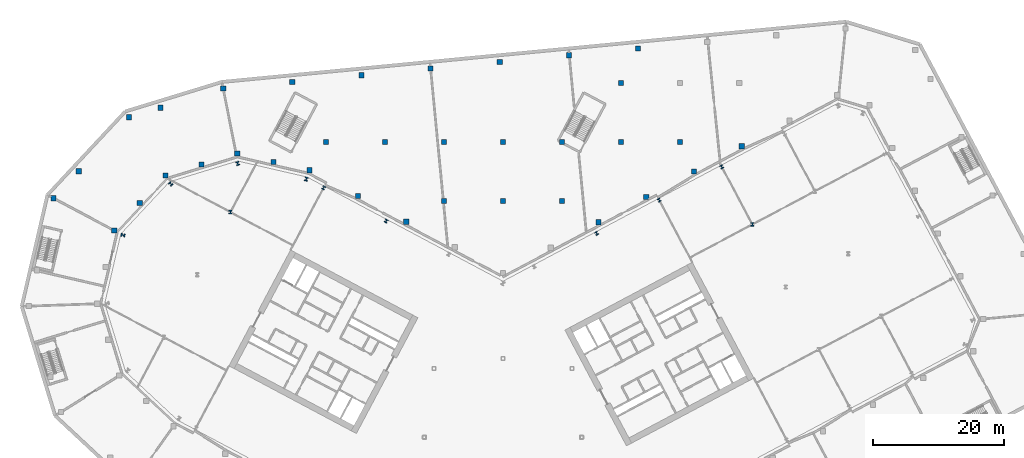
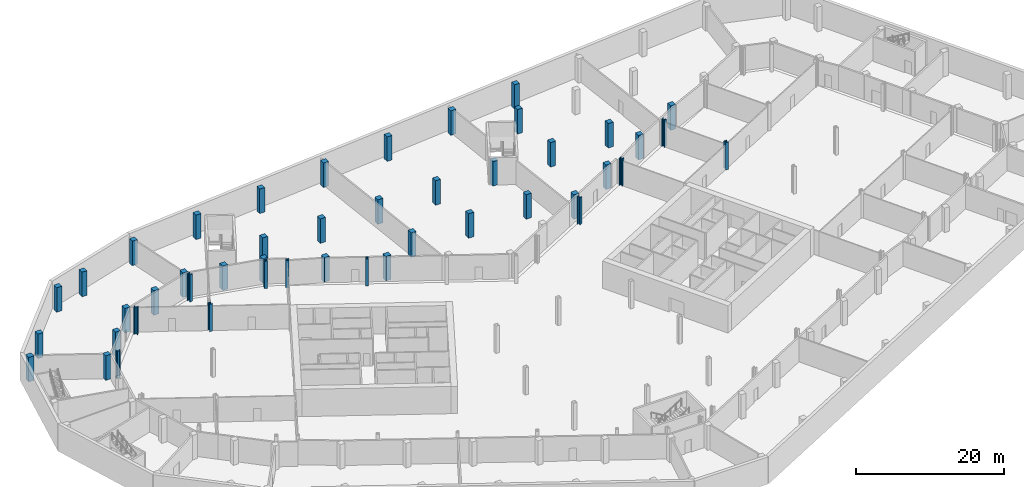
# One storey, part 5 of 27: 46 columns.
"""IFC4 building model written with IfcOpenShell, lengths in metres."""

from ifc_helpers import new_model, si_unit, direction, frame, origin, origin_2d, place, context, subcontext, project, spatial, rectangle, i_section, extrude, material, material_profile, profile_set, type_object, element, save


model = new_model("IFC4")

# Units and contexts
model_context = context("Model", 3, precision=1e-05, world=origin(), true_north=direction((0.0, 1.0)))
body_context = subcontext(model_context, "Body", "Model", "MODEL_VIEW")
ifc_project = project(units=[si_unit("LENGTHUNIT", "METRE"), si_unit("AREAUNIT", "SQUARE_METRE"), si_unit("VOLUMEUNIT", "CUBIC_METRE"), si_unit("PLANEANGLEUNIT", "RADIAN"), si_unit("MASSUNIT", "GRAM", prefix="KILO")], contexts=[model_context])

# Site, building, storey
site_placement = place(None, origin())
site = spatial("IfcSite", under=ifc_project, at=site_placement, CompositionType="ELEMENT")
building_placement = place(site_placement, origin())
building = spatial("IfcBuilding", under=site, at=building_placement, Name="Cormorant Relay Tower", CompositionType="ELEMENT")
storey_placement = place(building_placement, frame((0.0, 0.0, -4.5)))
storey = spatial("IfcBuildingStorey", under=building, at=storey_placement, Name="B1", CompositionType="ELEMENT", Elevation=-4.5)

# Columns
ifc_material_1 = material(Name="Concrete 50 MPa", Category="concrete")
ifc_material_profile_1 = material_profile(ifc_material_1, rectangle(XDim=0.800048828125, YDim=0.800048828125, at=origin_2d()), Name="RC 800x800")
ifc_profile_set_1 = profile_set([ifc_material_profile_1], Name="Concrete 50 MPa")
column_type_1 = type_object("IfcColumnType", Name="Base column 800 x 800", PredefinedType="COLUMN", material=ifc_profile_set_1)
for number, where, z_axis, x_axis, name in (
    (1, (-59.280029296875, 31.52001953125, 0.0), (0.0, 0.0, 1.0), (1.0, 0.0, 0.0), "Base column"),
    (2, (14.556884765625, 32.77001953125, 0.0), (0.0, 0.0, 1.0), (1.0, 0.0, 0.0), "Base column"),
    (3, (-14.742919921875, 32.868896484375, 0.0), (0.0, 0.0, 1.0), (1.0, 0.0, 0.0), "Base column"),
    (4, (-55.3720703125, 35.7099609375, 0.0), (0.0, 0.0, 1.0), (1.0, 0.0, 0.0), "Base column"),
    (5, (-9.0, 36.0, 0.0), (0.0, 0.0, 1.0), (1.0, 0.0, 0.0), "Base column"),
    (6, (0.0, 36.0, 0.0), (0.0, 0.0, 1.0), (1.0, 0.0, 0.0), "Base column"),
    (7, (9.0, 36.0, 0.0), (0.0, 0.0, 1.0), (1.0, 0.0, 0.0), "Base column"),
    (8, (-68.511962890625, 36.428955078125, 0.0), (0.0, 0.0, 1.0), (1.0, 0.0, 0.0), "Base column"),
    (9, (21.8359375, 36.639892578125, 0.0), (0.0, 0.0, 1.0), (1.0, 0.0, 0.0), "Base column"),
    (10, (-22.114013671875, 36.7880859375, 0.0), (0.0, 0.0, 1.0), (1.0, 0.0, 0.0), "Base column"),
    (11, (-51.464111328125, 39.90087890625, 0.0), (0.0, 0.0, 1.0), (1.0, 0.0, 0.0), "Base column"),
    (12, (29.114013671875, 40.510009765625, 0.0), (0.0, 0.0, 1.0), (1.0, 0.0, 0.0), "Base column"),
    (13, (-64.677001953125, 40.5419921875, 0.0), (0.0, 0.0, 1.0), (1.0, 0.0, 0.0), "Base column"),
    (14, (-29.485107421875, 40.70703125, 0.0), (0.0, 0.0, 1.0), (1.0, 0.0, 0.0), "Base column"),
    (15, (-45.985107421875, 41.575927734375, 0.0), (0.0, 0.0, 1.0), (1.0, 0.0, 0.0), "Base column"),
    (16, (-34.9951171875, 41.97900390625, 0.0), (0.0, 0.0, 1.0), (1.0, 0.0, 0.0), "Base column"),
    (17, (-40.5048828125, 43.251953125, 0.0), (0.0, 0.0, 1.0), (1.0, 0.0, 0.0), "Base column"),
    (18, (36.39306640625, 44.3798828125, 0.0), (0.0, 0.0, 1.0), (1.0, 0.0, 0.0), "Base column"),
    (19, (-27.0, 45.0, 0.0), (0.0, 0.0, 1.0), (1.0, 0.0, 0.0), "Base column"),
    (20, (-18.0, 45.0, 0.0), (0.0, 0.0, 1.0), (1.0, 0.0, 0.0), "Base column"),
    (21, (-9.0, 45.0, 0.0), (0.0, 0.0, 1.0), (1.0, 0.0, 0.0), "Base column"),
    (22, (0.0, 45.0, 0.0), (0.0, 0.0, 1.0), (1.0, 0.0, 0.0), "Base column"),
    (23, (9.0, 45.0, 0.0), (0.0, 0.0, 1.0), (1.0, 0.0, 0.0), "Base column"),
    (24, (18.0, 45.0, 0.0), (0.0, 0.0, 1.0), (1.0, 0.0, 0.0), "Base column"),
    (25, (27.0, 45.0, 0.0), (0.0, 0.0, 1.0), (1.0, 0.0, 0.0), "Base column"),
    (26, (-57.0048828125, 48.76806640625, 0.0), (0.0, 0.0, 1.0), (1.0, 0.0, 0.0), "Base column"),
    (27, (-52.22412109375, 50.22998046875, 0.0), (0.0, 0.0, 1.0), (1.0, 0.0, 0.0), "Base column"),
    (28, (-42.662109375, 53.154052734375, 0.0), (0.0, 0.0, 1.0), (1.0, 0.0, 0.0), "Base column"),
    (29, (18.0, 54.0, 0.0), (0.0, 0.0, 1.0), (1.0, 0.0, 0.0), "Base column"),
    (30, (-32.12109375, 54.169921875, 0.0), (0.0, 0.0, 1.0), (1.0, 0.0, 0.0), "Base column"),
    (31, (-21.580078125, 55.18603515625, 0.0), (0.0, 0.0, 1.0), (1.0, 0.0, 0.0), "Base column"),
    (32, (-11.0390625, 56.201904296875, 0.0), (0.0, 0.0, 1.0), (1.0, 0.0, 0.0), "Base column"),
    (33, (-0.498046875, 57.218017578125, 0.0), (0.0, 0.0, 1.0), (1.0, 0.0, 0.0), "Base column"),
    (34, (10.0439453125, 58.23388671875, 0.0), (0.0, 0.0, 1.0), (1.0, 0.0, 0.0), "Base column"),
    (35, (20.5849609375, 59.25, 0.0), (0.0, 0.0, 1.0), (1.0, 0.0, 0.0), "Base column"),
):
    element("IfcColumn", number, at=place(storey_placement, frame(where, z_axis=z_axis, x_axis=x_axis)), inside=storey, type_object=column_type_1, Name=name, PredefinedType="COLUMN", context=body_context, shape_type="SweptSolid", body=[
        extrude(rectangle(XDim=0.800048828125, YDim=0.800048828125, at=origin_2d()), origin(), (0.0, 0.0, 1.0), 4.050048828125),
    ])
ifc_material_2 = material(Name="Steel ASTM A992 (Fy 345 MPa)", Category="steel")
ifc_material_profile_2 = material_profile(ifc_material_2, i_section(OverallWidth=0.45458984375, OverallDepth=0.569091796875, WebThickness=0.077880859375, FlangeThickness=0.124755859375, FilletRadius=0.015380859375, at=origin_2d()), Name="W360x1086")
ifc_profile_set_2 = profile_set([ifc_material_profile_2], Name="Steel ASTM A992 (Fy 345 MPa)")
column_type_2 = type_object("IfcColumnType", Name="Column W360x1086", PredefinedType="COLUMN", material=ifc_profile_set_2)
for number, where, z_axis, x_axis, name in (
    (36, (-57.93896484375, 30.806884765625, 0.0), (0.0, 0.0, 1.0), (-0.224951054344, -0.974370064785, 0.0), "Column B1-038"),
    (37, (38.01806640625, 32.446044921875, 0.0), (0.0, 0.0, 1.0), (1.0, 0.0, 0.0), "Column B1-040"),
    (38, (-41.549072265625, 34.323974609375, 0.0), (0.0, 0.0, 1.0), (1.0, 0.0, 0.0), "Column B1-043"),
    (39, (-50.659912109375, 38.613037109375, 0.0), (0.0, 0.0, 1.0), (-0.681998360062, -0.731353701619, 0.0), "Column B1-047"),
    (40, (-29.992919921875, 39.35009765625, 0.0), (0.0, 0.0, 1.0), (-0.974370064785, 0.224951054344, 0.0), "Column B1-048"),
    (41, (-40.451904296875, 41.73388671875, 0.0), (0.0, 0.0, 1.0), (-0.956304755963, -0.292371704723, 0.0), "Column B1-050"),
):
    element("IfcColumn", number, at=place(storey_placement, frame(where, z_axis=z_axis, x_axis=x_axis)), inside=storey, type_object=column_type_2, Name=name, PredefinedType="COLUMN", context=body_context, shape_type="SweptSolid", body=[
        extrude(i_section(OverallWidth=0.45458984375, OverallDepth=0.569091796875, WebThickness=0.077880859375, FlangeThickness=0.124755859375, FilletRadius=0.015380859375, at=origin_2d()), origin(), (0.0, 0.0, 1.0), 4.5),
    ])
ifc_material_3 = material(Name="Steel ASTM A992 (Fy 345 MPa)", Category="steel")
ifc_material_profile_3 = material_profile(ifc_material_3, i_section(OverallWidth=0.43701171875, OverallDepth=0.51318359375, WebThickness=0.060546875, FlangeThickness=0.096923828125, FilletRadius=0.015380859375, at=origin_2d()), Name="W360x818")
ifc_profile_set_3 = profile_set([ifc_material_profile_3], Name="Steel ASTM A992 (Fy 345 MPa)")
column_type_3 = type_object("IfcColumnType", Name="Column W360x818", PredefinedType="COLUMN", material=ifc_profile_set_3)
for number, where, z_axis, x_axis, name in (
    (42, (14.279052734375, 31.08203125, 0.0), (0.0, 0.0, 1.0), (-0.882947592859, -0.469471562786, 0.0), "Column B1-039"),
    (43, (-17.81103515625, 32.9599609375, 0.0), (0.0, 0.0, 1.0), (-0.882947592859, 0.469471562786, 0.0), "Column B1-041"),
    (44, (23.81494140625, 36.152099609375, 0.0), (0.0, 0.0, 1.0), (-0.882947592859, -0.469471562786, 0.0), "Column B1-044"),
    (45, (-27.346923828125, 38.030029296875, 0.0), (0.0, 0.0, 1.0), (-0.882947592859, 0.469471562786, 0.0), "Column B1-046"),
    (46, (33.35107421875, 41.222900390625, 0.0), (0.0, 0.0, 1.0), (-0.882947592859, -0.469471562786, 0.0), "Column B1-049"),
):
    element("IfcColumn", number, at=place(storey_placement, frame(where, z_axis=z_axis, x_axis=x_axis)), inside=storey, type_object=column_type_3, Name=name, PredefinedType="COLUMN", context=body_context, shape_type="SweptSolid", body=[
        extrude(i_section(OverallWidth=0.43701171875, OverallDepth=0.51318359375, WebThickness=0.060546875, FlangeThickness=0.096923828125, FilletRadius=0.015380859375, at=origin_2d()), origin(), (0.0, 0.0, 1.0), 4.5),
    ])

save(model, "model.ifc")
